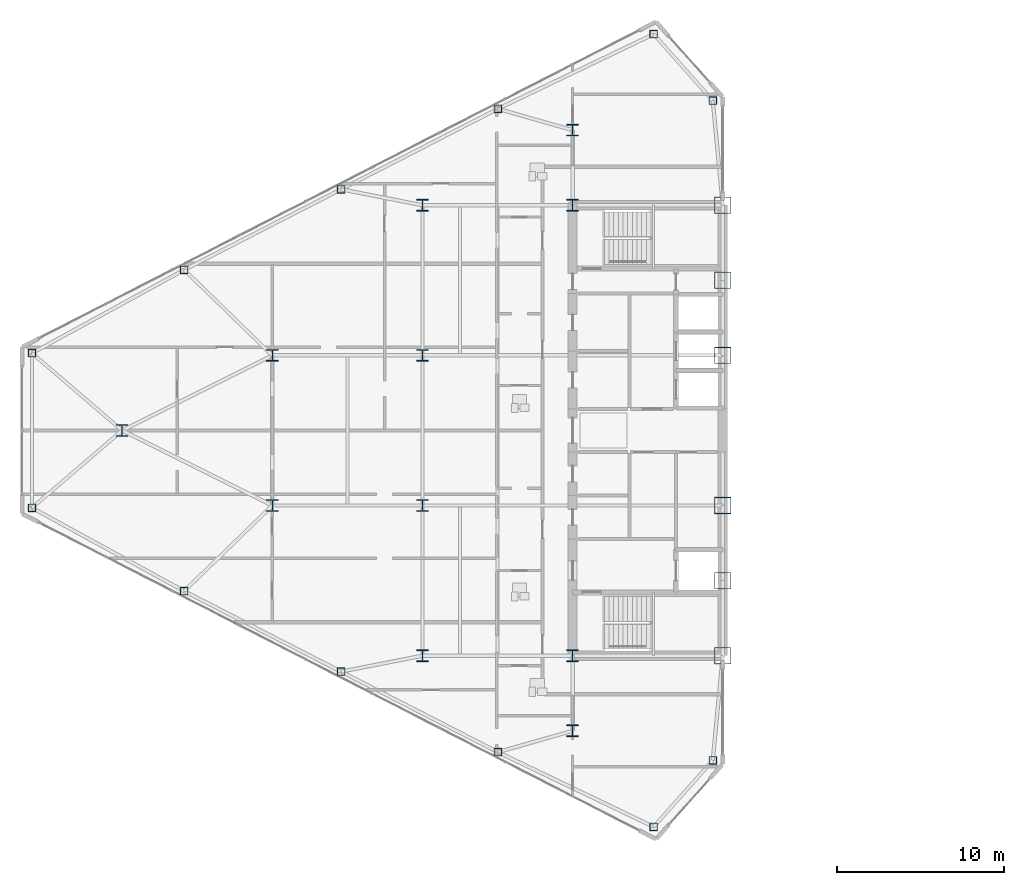
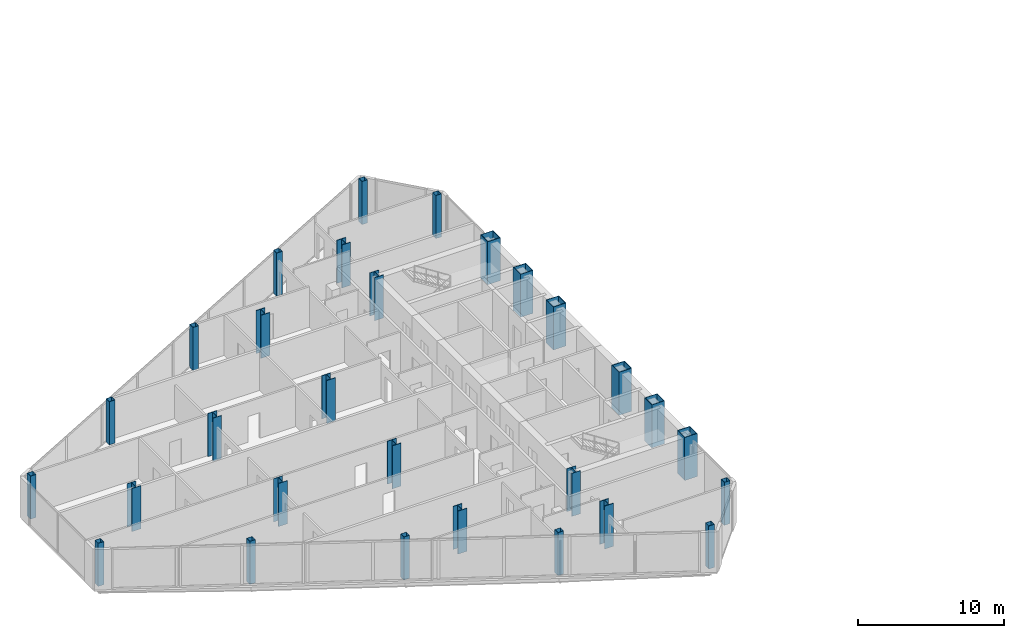
# One storey, part 1 of 23: 29 columns.
"""IFC4 building model written with IfcOpenShell, lengths in metres."""

from ifc_helpers import new_model, si_unit, direction, frame, origin, origin_2d, place, context, subcontext, project, spatial, hollow_rectangle, i_section, extrude, source, transform, mapped, material, material_profile, profile_set, type_object, type_shapes, element, save


model = new_model("IFC4")

# Units and contexts
model_context = context("Model", 3, precision=1e-05, world=origin(), true_north=direction((0.0, 1.0)))
body_context = subcontext(model_context, "Body", "Model", "MODEL_VIEW")
ifc_project = project(units=[si_unit("LENGTHUNIT", "METRE"), si_unit("AREAUNIT", "SQUARE_METRE"), si_unit("VOLUMEUNIT", "CUBIC_METRE"), si_unit("PLANEANGLEUNIT", "RADIAN"), si_unit("MASSUNIT", "GRAM", prefix="KILO")], contexts=[model_context])

# Site, building, storey
site_placement = place(None, origin())
site = spatial("IfcSite", under=ifc_project, at=site_placement, CompositionType="ELEMENT")
building_placement = place(site_placement, origin())
building = spatial("IfcBuilding", under=site, at=building_placement, Name="Seokmaru Belvedere", CompositionType="ELEMENT")
storey_placement = place(building_placement, frame((0.0, 0.0, 147.60009765625)))
storey = spatial("IfcBuildingStorey", under=building, at=storey_placement, Name="L39", CompositionType="ELEMENT", Elevation=147.60009765625)

# Columns
ifc_material_1 = material(Name="Steel HSA650 (650 MPa)", Category="steel")
ifc_material_profile_1 = material_profile(ifc_material_1, hollow_rectangle(XDim=1.0, YDim=1.0, WallThickness=0.0419921875, at=origin_2d()), Name="BOX-1000x1000x42")
ifc_profile_set_1 = profile_set([ifc_material_profile_1], Name="Steel HSA650 (650 MPa)")
column_type_1 = type_object("IfcColumnType", Name="Portal Spine Column BOX-1000", PredefinedType="COLUMN", material=ifc_profile_set_1)
shared_shape_1 = source(origin(), body_context, "Body", "SweptSolid", [
    extrude(hollow_rectangle(XDim=1.0, YDim=1.0, WallThickness=0.0419921875, at=origin_2d()), origin(), (0.0, 0.0, 1.0), 3.599853515625),
])
type_shapes(column_type_1, [shared_shape_1])
for number, where, z_axis, x_axis, name in (
    (1, (-27.5, -13.5, 0.0), (0.0, 0.0, 1.0), (1.0, 0.0, 0.0), "L39 Column WS1"),
    (2, (-27.5, -9.0, 0.0), (0.0, 0.0, 1.0), (1.0, 0.0, 0.0), "L39 Column WS2"),
    (3, (-27.5, -4.5, 0.0), (0.0, 0.0, 1.0), (1.0, 0.0, 0.0), "L39 Column WS3"),
    (4, (-27.5, 4.5, 0.0), (0.0, 0.0, 1.0), (1.0, 0.0, 0.0), "L39 Column WS4"),
    (5, (-27.5, 9.0, 0.0), (0.0, 0.0, 1.0), (1.0, 0.0, 0.0), "L39 Column WS5"),
    (6, (-27.5, 13.5, 0.0), (0.0, 0.0, 1.0), (1.0, 0.0, 0.0), "L39 Column WS6"),
):
    element("IfcColumn", number, at=place(storey_placement, frame(where, z_axis=z_axis, x_axis=x_axis)), inside=storey, type_object=column_type_1, Name=name, PredefinedType="COLUMN", context=body_context, shape_type="MappedRepresentation", body=[
        mapped(shared_shape_1, transform((0.0, 0.0, 0.0), scale=1.0)),
    ])
ifc_material_2 = material(Name="Steel SM355 (355 MPa)", Category="steel")
ifc_material_profile_2 = material_profile(ifc_material_2, i_section(OverallWidth=0.699951171875, OverallDepth=0.699951171875, WebThickness=0.028076171875, FlangeThickness=0.044921875, at=origin_2d()), Name="H-700x700x28x45")
ifc_profile_set_2 = profile_set([ifc_material_profile_2], Name="Steel SM355 (355 MPa)")
column_type_2 = type_object("IfcColumnType", Name="Mid Interior Column H-700", PredefinedType="COLUMN", material=ifc_profile_set_2)
shared_shape_2 = source(origin(), body_context, "Body", "SweptSolid", [
    extrude(i_section(OverallWidth=0.699951171875, OverallDepth=0.699951171875, WebThickness=0.028076171875, FlangeThickness=0.044921875, at=origin_2d()), origin(), (0.0, 0.0, 1.0), 3.599853515625),
])
type_shapes(column_type_2, [shared_shape_2])
for number, where, z_axis, x_axis, name in (
    (7, (-36.5, -18.0, 0.0), (0.0, 0.0, 1.0), (1.0, 0.0, 0.0), "L39 Column WC1"),
    (8, (-36.5, -13.5, 0.0), (0.0, 0.0, 1.0), (1.0, 0.0, 0.0), "L39 Column WC2"),
    (9, (-36.5, 13.5, 0.0), (0.0, 0.0, 1.0), (1.0, 0.0, 0.0), "L39 Column WC3"),
    (10, (-36.5, 18.0, 0.0), (0.0, 0.0, 1.0), (1.0, 0.0, 0.0), "L39 Column WC4"),
    (11, (-45.5, -13.5, 0.0), (0.0, 0.0, 1.0), (1.0, 0.0, 0.0), "L39 Column WG5_1"),
    (12, (-45.5, -4.5, 0.0), (0.0, 0.0, 1.0), (1.0, 0.0, 0.0), "L39 Column WG5_2"),
    (13, (-45.5, 4.5, 0.0), (0.0, 0.0, 1.0), (1.0, 0.0, 0.0), "L39 Column WG5_3"),
    (14, (-45.5, 13.5, 0.0), (0.0, 0.0, 1.0), (1.0, 0.0, 0.0), "L39 Column WG5_4"),
    (15, (-54.5, -4.5, 0.0), (0.0, 0.0, 1.0), (1.0, 0.0, 0.0), "L39 Column WG4P_1"),
    (16, (-54.5, 4.5, 0.0), (0.0, 0.0, 1.0), (1.0, 0.0, 0.0), "L39 Column WG4P_2"),
    (17, (-63.5, 0.0, 0.0), (0.0, 0.0, 1.0), (1.0, 0.0, 0.0), "L39 Column WG3P_1"),
):
    element("IfcColumn", number, at=place(storey_placement, frame(where, z_axis=z_axis, x_axis=x_axis)), inside=storey, type_object=column_type_2, Name=name, PredefinedType="COLUMN", context=body_context, shape_type="MappedRepresentation", body=[
        mapped(shared_shape_2, transform((0.0, 0.0, 0.0), scale=1.0)),
    ])
ifc_material_profile_3 = material_profile(ifc_material_2, hollow_rectangle(XDim=0.449951171875, YDim=0.449951171875, WallThickness=0.01806640625, at=origin_2d()), Name="HSS-450x450x18")
ifc_profile_set_3 = profile_set([ifc_material_profile_3], Name="Steel SM355 (355 MPa)")
column_type_3 = type_object("IfcColumnType", Name="Perimeter Facet Column HSS-450", PredefinedType="COLUMN", material=ifc_profile_set_3)
shared_shape_3 = source(origin(), body_context, "Body", "SweptSolid", [
    extrude(hollow_rectangle(XDim=0.449951171875, YDim=0.449951171875, WallThickness=0.01806640625, at=origin_2d()), origin(), (0.0, 0.0, 1.0), 3.599853515625),
])
type_shapes(column_type_3, [shared_shape_3])
for number, where, z_axis, x_axis, name in (
    (18, (-28.10009765625, -19.77197265625, 0.0), (0.0, 0.0, 1.0), (1.0, 0.0, 0.0), "L39 Column WF1"),
    (19, (-28.10009765625, 19.77197265625, 0.0), (0.0, 0.0, 1.0), (1.0, 0.0, 0.0), "L39 Column WF2"),
    (20, (-31.6396484375, 23.75390625, 0.0), (0.0, 0.0, 1.0), (1.0, 0.0, 0.0), "L39 Column WF3"),
    (21, (-68.89990234375, 4.633544921875, 0.0), (0.0, 0.0, 1.0), (1.0, 0.0, 0.0), "L39 Column WF4"),
    (22, (-68.89990234375, -4.633544921875, 0.0), (0.0, 0.0, 1.0), (1.0, 0.0, 0.0), "L39 Column WF5"),
    (23, (-31.6396484375, -23.75390625, 0.0), (0.0, 0.0, 1.0), (1.0, 0.0, 0.0), "L39 Column WF6"),
    (24, (-40.975830078125, -19.277587890625, 0.0), (0.0, 0.0, 1.0), (1.0, 0.0, 0.0), "L39 Column WFLK_S1"),
    (25, (-50.377197265625, -14.453369140625, 0.0), (0.0, 0.0, 1.0), (1.0, 0.0, 0.0), "L39 Column WFLK_S2"),
    (26, (-59.778564453125, -9.62890625, 0.0), (0.0, 0.0, 1.0), (1.0, 0.0, 0.0), "L39 Column WFLK_S3"),
    (27, (-40.975830078125, 19.277587890625, 0.0), (0.0, 0.0, 1.0), (1.0, 0.0, 0.0), "L39 Column WFLK_N1"),
    (28, (-50.377197265625, 14.453369140625, 0.0), (0.0, 0.0, 1.0), (1.0, 0.0, 0.0), "L39 Column WFLK_N2"),
    (29, (-59.778564453125, 9.62890625, 0.0), (0.0, 0.0, 1.0), (1.0, 0.0, 0.0), "L39 Column WFLK_N3"),
):
    element("IfcColumn", number, at=place(storey_placement, frame(where, z_axis=z_axis, x_axis=x_axis)), inside=storey, type_object=column_type_3, Name=name, PredefinedType="COLUMN", context=body_context, shape_type="MappedRepresentation", body=[
        mapped(shared_shape_3, transform((0.0, 0.0, 0.0), scale=1.0)),
    ])

save(model, "model.ifc")
